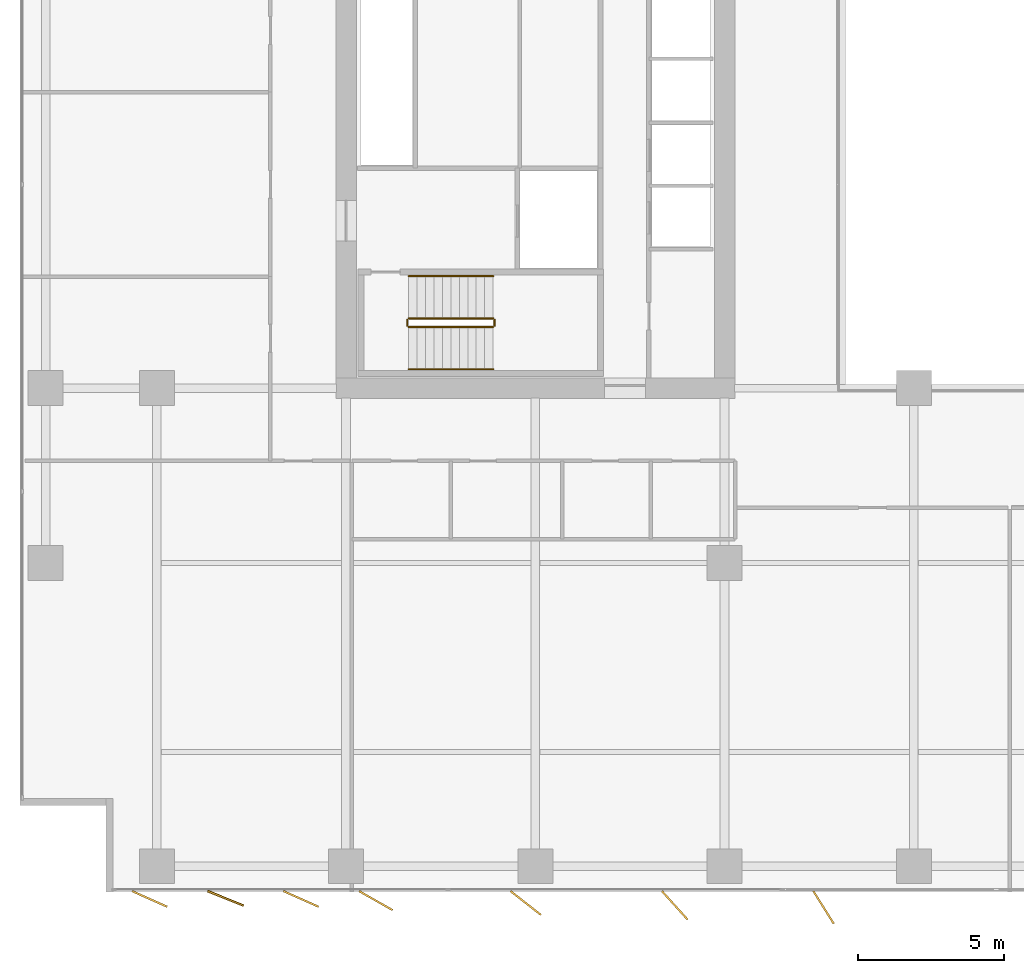
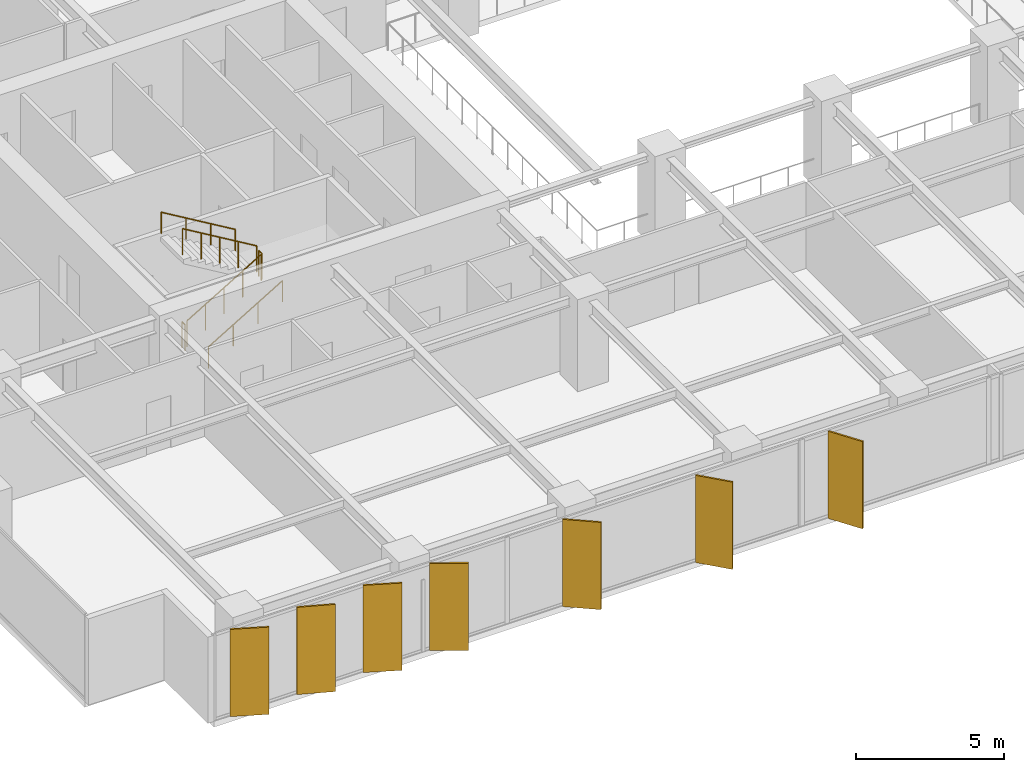
# One storey, part 17 of 20: 7 shading devices, 6 railings.
"""IFC4 building model written with IfcOpenShell, lengths in metres."""

from ifc_helpers import new_model, si_unit, direction, frame, origin, origin_2d, place, context, subcontext, project, spatial, rectangle, circle, extrude, material, layer, layer_set, type_object, element, save


model = new_model("IFC4")

# Units and contexts
model_context = context("Model", 3, precision=1e-05, world=origin(), true_north=direction((0.0, 1.0)))
body_context = subcontext(model_context, "Body", "Model", "MODEL_VIEW")
ifc_project = project(units=[si_unit("LENGTHUNIT", "METRE"), si_unit("AREAUNIT", "SQUARE_METRE"), si_unit("VOLUMEUNIT", "CUBIC_METRE"), si_unit("PLANEANGLEUNIT", "RADIAN"), si_unit("MASSUNIT", "GRAM", prefix="KILO")], contexts=[model_context])

# Site, building, storey
site_placement = place(None, origin())
site = spatial("IfcSite", under=ifc_project, at=site_placement, CompositionType="ELEMENT")
building_placement = place(site_placement, origin())
building = spatial("IfcBuilding", under=site, at=building_placement, Name="Putna Gate Headquarters", CompositionType="ELEMENT")
storey_placement = place(building_placement, frame((0.0, 0.0, 120.199951171875)))
storey = spatial("IfcBuildingStorey", under=building, at=storey_placement, Name="L29", CompositionType="ELEMENT", Elevation=120.199951171875)

# Railings
ifc_material_1 = material(Name="Powder-coated steel stair guardrail", Category="steel")
railing_type_1 = type_object("IfcRailingType", Name="RAIL-STAIR-GUARD-1100", PredefinedType="GUARDRAIL", material=ifc_material_1)
railing_1_placement = place(storey_placement, frame((15.14990234375, 21.10009765625, 0.1728515625)))
element("IfcRailing", 1, at=railing_1_placement, inside=storey, type_object=railing_type_1, Name="L29 ST1 stair guard 1", PredefinedType="GUARDRAIL", context=body_context, shape_type="SweptSolid", body=[
    extrude(circle(Radius=0.02392578125, at=origin_2d()), frame((0.0, 0.0, 1.076171875), z_axis=(0.859160404282, 0.0, 0.51170636083), x_axis=(0.0, 1.0, 0.0)), (0.0, 0.0, 1.0), 3.37548828125),
    extrude(circle(Radius=0.02099609375, at=origin_2d()), origin(), (0.0, 0.0, 1.0), 1.052001953125),
    extrude(circle(Radius=0.02099609375, at=origin_2d()), frame((0.72509765625, 0.0, 0.431884765625)), (0.0, 0.0, 1.0), 1.052001953125),
    extrude(circle(Radius=0.02099609375, at=origin_2d()), frame((1.4501953125, 0.0, 0.86376953125)), (0.0, 0.0, 1.0), 1.052001953125),
    extrude(circle(Radius=0.02099609375, at=origin_2d()), frame((2.175048828125, 0.0, 1.29541015625)), (0.0, 0.0, 1.0), 1.052001953125),
    extrude(circle(Radius=0.02099609375, at=origin_2d()), frame((2.900146484375, 0.0, 1.727294921875)), (0.0, 0.0, 1.0), 1.052001953125),
])
railing_2_placement = place(storey_placement, frame((18.10009765625, 21.14990234375, 1.900146484375)))
element("IfcRailing", 2, at=railing_2_placement, inside=storey, type_object=railing_type_1, Name="L29 ST1 stair guard 2", PredefinedType="GUARDRAIL", context=body_context, shape_type="SweptSolid", body=[
    extrude(circle(Radius=0.02392578125, at=origin_2d()), frame((0.0, 0.0, 1.076171875), z_axis=(0.0, 1.0, 0.0), x_axis=(-1.0, 0.0, 0.0)), (0.0, 0.0, 1.0), 0.2001953125),
    extrude(circle(Radius=0.02099609375, at=origin_2d()), origin(), (0.0, 0.0, 1.0), 1.052001953125),
    extrude(circle(Radius=0.02099609375, at=origin_2d()), frame((0.0, 0.2001953125, 0.0)), (0.0, 0.0, 1.0), 1.052001953125),
])
railing_3_placement = place(storey_placement, frame((18.050048828125, 21.39990234375, 2.07275390625)))
element("IfcRailing", 3, at=railing_3_placement, inside=storey, type_object=railing_type_1, Name="L29 ST1 stair guard 3", PredefinedType="GUARDRAIL", context=body_context, shape_type="SweptSolid", body=[
    extrude(circle(Radius=0.02392578125, at=origin_2d()), frame((0.0, 0.0, 1.076171875), z_axis=(-0.859160404282, 0.0, 0.51170636083), x_axis=(0.0, -1.0, 0.0)), (0.0, 0.0, 1.0), 3.37548828125),
    extrude(circle(Radius=0.02099609375, at=origin_2d()), origin(), (0.0, 0.0, 1.0), 1.052001953125),
    extrude(circle(Radius=0.02099609375, at=origin_2d()), frame((-0.72509765625, 0.0, 0.431884765625)), (0.0, 0.0, 1.0), 1.052001953125),
    extrude(circle(Radius=0.02099609375, at=origin_2d()), frame((-1.4501953125, 0.0, 0.86376953125)), (0.0, 0.0, 1.0), 1.052001953125),
    extrude(circle(Radius=0.02099609375, at=origin_2d()), frame((-2.175048828125, 0.0, 1.29541015625)), (0.0, 0.0, 1.0), 1.052001953125),
    extrude(circle(Radius=0.02099609375, at=origin_2d()), frame((-2.900146484375, 0.0, 1.727294921875)), (0.0, 0.0, 1.0), 1.052001953125),
])
railing_4_placement = place(storey_placement, frame((15.10009765625, 21.14990234375, 0.0)))
element("IfcRailing", 4, at=railing_4_placement, inside=storey, type_object=railing_type_1, Name="L29 ST1 stair guard 4", PredefinedType="GUARDRAIL", context=body_context, shape_type="SweptSolid", body=[
    extrude(circle(Radius=0.02392578125, at=origin_2d()), frame((0.0, 0.0, 1.076171875), z_axis=(0.0, 1.0, 0.0), x_axis=(-1.0, 0.0, 0.0)), (0.0, 0.0, 1.0), 0.2001953125),
    extrude(circle(Radius=0.02099609375, at=origin_2d()), origin(), (0.0, 0.0, 1.0), 1.052001953125),
    extrude(circle(Radius=0.02099609375, at=origin_2d()), frame((0.0, 0.2001953125, 0.0)), (0.0, 0.0, 1.0), 1.052001953125),
])
ifc_material_2 = material(Name="Brushed stainless steel handrail", Category="steel")
railing_type_2 = type_object("IfcRailingType", Name="RAIL-STAIR-HAND-900", PredefinedType="HANDRAIL", material=ifc_material_2)
railing_5_placement = place(storey_placement, frame((15.14990234375, 19.64990234375, 0.1728515625)))
element("IfcRailing", 5, at=railing_5_placement, inside=storey, type_object=railing_type_2, Name="L29 ST1 stair handrail 1", PredefinedType="HANDRAIL", context=body_context, shape_type="SweptSolid", body=[
    extrude(circle(Radius=0.02392578125, at=origin_2d()), frame((0.0, 0.0, 0.8759765625), z_axis=(0.859160404282, 0.0, 0.51170636083), x_axis=(0.0, 1.0, 0.0)), (0.0, 0.0, 1.0), 3.37548828125),
    extrude(circle(Radius=0.02099609375, at=origin_2d()), origin(), (0.0, 0.0, 1.0), 0.851806640625),
    extrude(circle(Radius=0.02099609375, at=origin_2d()), frame((0.966796875, 0.0, 0.57568359375)), (0.0, 0.0, 1.0), 0.851806640625),
    extrude(circle(Radius=0.02099609375, at=origin_2d()), frame((1.933349609375, 0.0, 1.151611328125)), (0.0, 0.0, 1.0), 0.851806640625),
    extrude(circle(Radius=0.02099609375, at=origin_2d()), frame((2.900146484375, 0.0, 1.727294921875)), (0.0, 0.0, 1.0), 0.851806640625),
])
railing_6_placement = place(storey_placement, frame((18.050048828125, 22.85009765625, 2.07275390625)))
element("IfcRailing", 6, at=railing_6_placement, inside=storey, type_object=railing_type_2, Name="L29 ST1 stair handrail 2", PredefinedType="HANDRAIL", context=body_context, shape_type="SweptSolid", body=[
    extrude(circle(Radius=0.02392578125, at=origin_2d()), frame((0.0, 0.0, 0.8759765625), z_axis=(-0.859160404282, 0.0, 0.51170636083), x_axis=(0.0, -1.0, 0.0)), (0.0, 0.0, 1.0), 3.37548828125),
    extrude(circle(Radius=0.02099609375, at=origin_2d()), origin(), (0.0, 0.0, 1.0), 0.851806640625),
    extrude(circle(Radius=0.02099609375, at=origin_2d()), frame((-0.966796875, 0.0, 0.57568359375)), (0.0, 0.0, 1.0), 0.851806640625),
    extrude(circle(Radius=0.02099609375, at=origin_2d()), frame((-1.933349609375, 0.0, 1.151611328125)), (0.0, 0.0, 1.0), 0.851806640625),
    extrude(circle(Radius=0.02099609375, at=origin_2d()), frame((-2.900146484375, 0.0, 1.727294921875)), (0.0, 0.0, 1.0), 0.851806640625),
])

# Shading devices
ifc_material_3 = material(Name="Anodised architectural bronze aluminium fin", Category="aluminium")
ifc_layer = layer(ifc_material_3, 0.06494140625)
ifc_layer_set = layer_set([ifc_layer], Name="Anodised architectural bronze aluminium fin")
shading_device_type = type_object("IfcShadingDeviceType", Name="SHADE-BRONZE-FIN-1320", PredefinedType="USERDEFINED", material=ifc_layer_set)
for number, where, z_axis, x_axis, name in (
    (7, (6.2529296875, 1.456787109375, -0.02001953125), (0.0, 0.0, 1.0), (0.913687379856, -0.40641773078, 0.0), "L29 Bronze Vertical Shading Fin S1"),
    (8, (8.86181640625, 1.477783203125, -0.02001953125), (0.0, 0.0, 1.0), (0.927183854567, -0.374606593416, 0.0), "L29 Bronze Vertical Shading Fin S2"),
    (9, (11.452880859375, 1.456787109375, -0.02001953125), (0.0, 0.0, 1.0), (0.913687379856, -0.40641773078, 0.0), "L29 Bronze Vertical Shading Fin S3"),
    (10, (14.023681640625, 1.398681640625, -0.02001953125), (0.0, 0.0, 1.0), (0.869322458298, -0.494245347472, 0.0), "L29 Bronze Vertical Shading Fin S4"),
    (11, (19.169677734375, 1.318115234375, -0.02001953125), (0.0, 0.0, 1.0), (0.787473187632, -0.616348909921, 0.0), "L29 Bronze Vertical Shading Fin S5"),
    (12, (24.29150390625, 1.234619140625, -0.02001953125), (0.0, 0.0, 1.0), (0.669130606359, -0.743144825477, 0.0), "L29 Bronze Vertical Shading Fin S6"),
    (13, (29.400146484375, 1.16552734375, -0.02001953125), (0.0, 0.0, 1.0), (0.530659123936, -0.847585331506, 0.0), "L29 Bronze Vertical Shading Fin S7"),
):
    element("IfcShadingDevice", number, at=place(storey_placement, frame(where, z_axis=z_axis, x_axis=x_axis)), inside=storey, type_object=shading_device_type, Name=name, ObjectType="FIN", PredefinedType="USERDEFINED", context=body_context, shape_type="SweptSolid", body=[
        extrude(rectangle(XDim=1.320068359375, YDim=0.06494140625, at=origin_2d()), origin(), (0.0, 0.0, 1.0), 3.60498046875),
    ])

save(model, "model.ifc")
